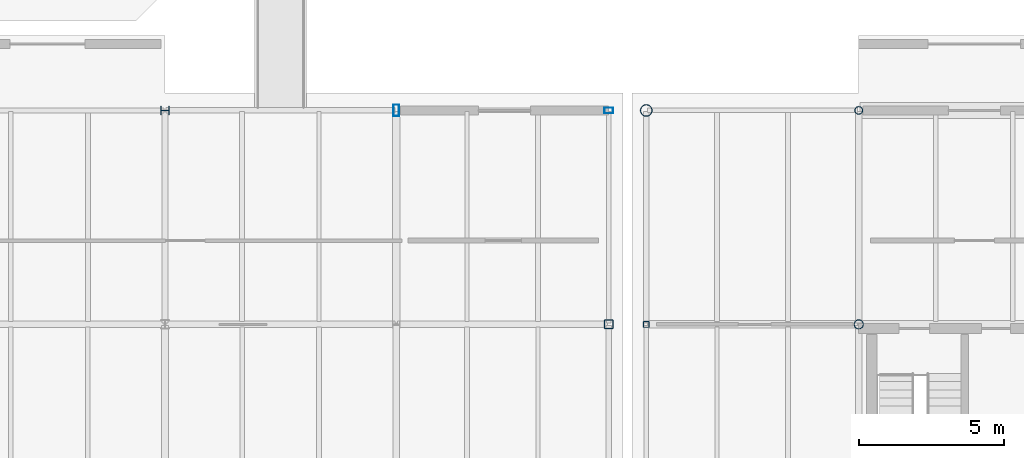
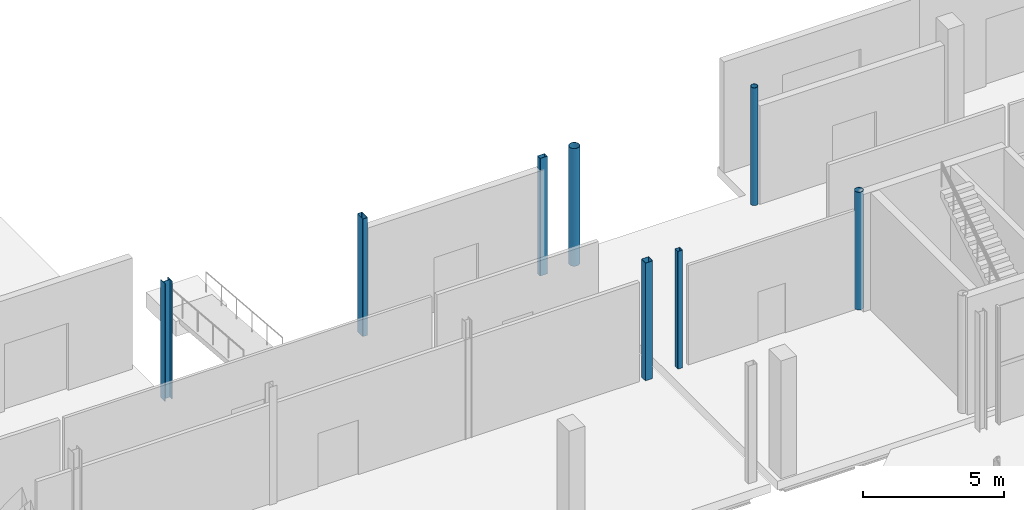
# One storey, part 21 of 87: 8 columns.
"""IFC4 building model written with IfcOpenShell, lengths in metres."""

import ifcopenshell
import ifcopenshell.guid

model = None  # the IFC model being written
_history = None  # IfcOwnerHistory: only IFC2X3 demands one
_inside = {}  # id of a spatial element -> (the spatial element, [elements in it])
_under = {}  # id of a project, library or spatial element -> (it, [spatial elements below it])
_declared = {}  # id of a project -> (the project, [libraries it declares])
_typed = {}  # id of a type object -> (the type object, [elements of that type])
_made_of = {}  # id of a material, layer set ... -> (it, [elements and type objects made of it])


def new_model(schema):
    """Start an empty IFC model of exactly this schema.

    Asked for "IFC4X3", IfcOpenShell would pick the latest addendum, in which some entities
    have other attributes; the version numbers below select the first issue.
    IFC2X3 requires an IfcOwnerHistory on every rooted entity: one is made here for all.
    """
    global model, _history
    if schema == "IFC4X3":
        model = ifcopenshell.file(schema_version=(4, 3, 0, 0))
    else:
        model = ifcopenshell.file(schema=schema)
    _inside.clear()
    _under.clear()
    _declared.clear()
    _typed.clear()
    _made_of.clear()
    _history = None
    if model.schema == "IFC2X3":
        org = make("IfcOrganization", Name="unknown")
        user = make(
            "IfcPersonAndOrganization",
            ThePerson=make("IfcPerson", FamilyName="unknown"),
            TheOrganization=org,
        )
        app = make(
            "IfcApplication",
            ApplicationDeveloper=org,
            Version="unknown",
            ApplicationFullName="unknown",
            ApplicationIdentifier="unknown",
        )
        _history = make(
            "IfcOwnerHistory",
            OwningUser=user,
            OwningApplication=app,
            ChangeAction="ADDED",
            CreationDate=0,
        )
    return model


def make(cls, **values):
    """One entity of the class cls with the attributes given. An attribute that is None is left unset."""
    return model.create_entity(
        cls, **{name: value for name, value in values.items() if value is not None}
    )


def rooted(cls, **values):
    """An entity with a GlobalId (a new one), such as an element, a storey or a relation."""
    return make(cls, GlobalId=ifcopenshell.guid.new(), OwnerHistory=_history, **values)


def si_unit(unit_type, name, prefix=None):
    """IfcSIUnit, for example si_unit("LENGTHUNIT", "METRE", prefix="MILLI")."""
    return make("IfcSIUnit", UnitType=unit_type, Prefix=prefix, Name=name)


def assignment(units):
    """IfcUnitAssignment: the units of a project."""
    return None if units is None else make("IfcUnitAssignment", Units=units)


def point(xyz):
    """IfcCartesianPoint."""
    return None if xyz is None else make("IfcCartesianPoint", Coordinates=xyz)


def direction(xyz):
    """IfcDirection."""
    return None if xyz is None else make("IfcDirection", DirectionRatios=xyz)


def frame(location, z_axis=None, x_axis=None):
    """IfcAxis2Placement3D, a coordinate frame: its origin and axes. An axis left out is left unset."""
    return make(
        "IfcAxis2Placement3D",
        Location=point(location),
        Axis=direction(z_axis),
        RefDirection=direction(x_axis),
    )


def frame_2d(location, x_axis=None):
    """IfcAxis2Placement2D, a coordinate frame in the plane: its origin and x axis."""
    return make(
        "IfcAxis2Placement2D", Location=point(location), RefDirection=direction(x_axis)
    )


def origin():
    """The frame at (0, 0, 0) with its axes left unset."""
    return frame((0.0, 0.0, 0.0))


def origin_2d():
    """The frame at (0, 0) in the plane with its x axis left unset."""
    return frame_2d((0.0, 0.0))


def place(relative_to, where):
    """IfcLocalPlacement: puts the frame where relative to a parent placement (None: the world)."""
    return make(
        "IfcLocalPlacement", PlacementRelTo=relative_to, RelativePlacement=where
    )


def context(
    kind, dimensions, precision=None, world=None, true_north=None, identifier=None
):
    """IfcGeometricRepresentationContext, for example the 3D "Model" context."""
    return make(
        "IfcGeometricRepresentationContext",
        ContextIdentifier=identifier,
        ContextType=kind,
        CoordinateSpaceDimension=dimensions,
        Precision=precision,
        WorldCoordinateSystem=world,
        TrueNorth=true_north,
    )


def subcontext(parent, identifier, kind, view, scale=None):
    """IfcGeometricRepresentationSubContext, for example "Body" below "Model"."""
    return make(
        "IfcGeometricRepresentationSubContext",
        ContextIdentifier=identifier,
        ContextType=kind,
        ParentContext=parent,
        TargetScale=scale,
        TargetView=view,
    )


def project(units=None, contexts=None):
    """IfcProject with its units and contexts."""
    return rooted(
        "IfcProject",
        Name="project",
        RepresentationContexts=contexts,
        UnitsInContext=assignment(units),
    )


def spatial(cls, under=None, at=None, **own):
    """A site, building, storey or space (cls), placed at a placement, below another one or the project."""
    s = rooted(cls, ObjectPlacement=at, **own)
    if under is not None:
        _under.setdefault(under.id(), (under, []))[1].append(s)
    return s


def profile(cls, at=None, kind="AREA", **sizes):
    """A parametric profile (cls). Its sizes go by their IFC names, for example OverallWidth=200.0."""
    return make(cls, ProfileType=kind, Position=at, **sizes)


def hollow_rectangle(**sizes):
    """IfcRectangleHollowProfileDef."""
    return profile("IfcRectangleHollowProfileDef", **sizes)


def hollow_circle(**sizes):
    """IfcCircleHollowProfileDef."""
    return profile("IfcCircleHollowProfileDef", **sizes)


def i_section(**sizes):
    """IfcIShapeProfileDef."""
    return profile("IfcIShapeProfileDef", **sizes)


def extrude(swept, where, along, depth):
    """IfcExtrudedAreaSolid: the profile swept, set in the frame where, extruded along a direction by depth."""
    return make(
        "IfcExtrudedAreaSolid",
        SweptArea=swept,
        Position=where,
        ExtrudedDirection=direction(along),
        Depth=depth,
    )


def shape(context_of_items, identifier, shape_type, items):
    """IfcShapeRepresentation: the items that make up one representation, for example the "Body"."""
    return make(
        "IfcShapeRepresentation",
        ContextOfItems=context_of_items,
        RepresentationIdentifier=identifier,
        RepresentationType=shape_type,
        Items=items,
    )


def material(Name=None, Category=None):
    """IfcMaterial."""
    return make("IfcMaterial", Name=Name, Category=Category)


def material_profile(
    of_material, cross_section, Name=None, Category=None, Priority=None
):
    """IfcMaterialProfile: a cross section and its material."""
    return make(
        "IfcMaterialProfile",
        Name=Name,
        Material=of_material,
        Profile=cross_section,
        Priority=Priority,
        Category=Category,
    )


def profile_set(profiles, Name=None, composite=None):
    """IfcMaterialProfileSet."""
    return make(
        "IfcMaterialProfileSet",
        Name=Name,
        MaterialProfiles=profiles,
        CompositeProfile=composite,
    )


def made_of(thing, what):
    """Note that an element or type object is made of a material, layer set ...; save() writes the relation."""
    if what is not None:
        _made_of.setdefault(what.id(), (what, []))[1].append(thing)
    return thing


def type_object(cls, material=None, **own):
    """A type object (cls), such as IfcWallType, which elements share."""
    return made_of(rooted(cls, **own), material)


def element(
    cls,
    number,
    at=None,
    inside=None,
    cuts=None,
    type_object=None,
    material=None,
    context=None,
    identifier="Body",
    shape_type=None,
    held_by="IfcProductDefinitionShape",
    body=None,
    shapes=None,
    **own,
):
    """One element of the class cls, such as IfcWall. Its Tag is "e" and its number.

    at: its placement. inside: the storey or other place that contains it. cuts: it is an
    opening in that element (IfcRelVoidsElement). A single representation is given by context,
    identifier, shape_type and body (its items); several are given by shapes. held_by: the class
    of the entity that holds the representations. save() writes the other relations.
    """
    e = rooted(cls, Tag="e%d" % number, ObjectPlacement=at, **own)
    if body is not None:
        shapes = [shape(context, identifier, shape_type, body)]
    if shapes is not None:
        e.Representation = make(held_by, Representations=shapes)
    if inside is not None:
        _inside.setdefault(inside.id(), (inside, []))[1].append(e)
    if cuts is not None:
        rooted(
            "IfcRelVoidsElement", RelatingBuildingElement=cuts, RelatedOpeningElement=e
        )
    if type_object is not None:
        _typed.setdefault(type_object.id(), (type_object, []))[1].append(e)
    return made_of(e, material)


def aggregate(whole, parts):
    """IfcRelAggregates: a whole, such as a stair, and the parts it consists of."""
    return rooted("IfcRelAggregates", RelatingObject=whole, RelatedObjects=parts)


def save(model, path):
    """Write the relations noted so far, then the file.

    IfcRelAggregates (storeys below a building ...), IfcRelContainedInSpatialStructure (elements
    in a storey), IfcRelDefinesByType, IfcRelAssociatesMaterial and IfcRelDeclares: one each for
    every whole, place, type object, material and project.
    """
    for whole, parts in _under.values():
        aggregate(whole, parts)
    for where, things in _inside.values():
        rooted(
            "IfcRelContainedInSpatialStructure",
            RelatedElements=things,
            RelatingStructure=where,
        )
    for kind, things in _typed.values():
        rooted("IfcRelDefinesByType", RelatedObjects=things, RelatingType=kind)
    for what, things in _made_of.values():
        rooted("IfcRelAssociatesMaterial", RelatedObjects=things, RelatingMaterial=what)
    for by, libraries in _declared.values():
        rooted("IfcRelDeclares", RelatingContext=by, RelatedDefinitions=libraries)
    model.write(path)


model = new_model("IFC4")

# Units and contexts
model_context = context("Model", 3, precision=1e-05, world=origin(), true_north=direction((0.0, 1.0)))
body_context = subcontext(model_context, "Body", "Model", "MODEL_VIEW")
ifc_project = project(units=[si_unit("LENGTHUNIT", "METRE"), si_unit("AREAUNIT", "SQUARE_METRE"), si_unit("VOLUMEUNIT", "CUBIC_METRE"), si_unit("PLANEANGLEUNIT", "RADIAN"), si_unit("MASSUNIT", "GRAM", prefix="KILO")], contexts=[model_context])

# Site, building, storey
site_placement = place(None, origin())
site = spatial("IfcSite", under=ifc_project, at=site_placement, CompositionType="ELEMENT")
building_placement = place(site_placement, origin())
building = spatial("IfcBuilding", under=site, at=building_placement, Name="Brisemont Oceanarium", CompositionType="ELEMENT")
storey_placement = place(building_placement, origin())
storey = spatial("IfcBuildingStorey", under=building, at=storey_placement, Name="L00", CompositionType="ELEMENT", Elevation=0.0)

# Columns
ifc_material_1 = material(Name="Structural Steel ASTM A500 Gr.C", Category="steel")
ifc_material_profile_1 = material_profile(ifc_material_1, hollow_circle(Radius=0.136474609375, WallThickness=0.01171875, at=origin_2d()), Name="HSS10.750X0.500")
ifc_profile_set_1 = profile_set([ifc_material_profile_1], Name="Structural Steel ASTM A500 Gr.C")
column_type_1 = type_object("IfcColumnType", Name="COL-CHS10", PredefinedType="COLUMN", material=ifc_profile_set_1)
column_1_placement = place(storey_placement, frame((64.0, 95.39990234375, 0.0), z_axis=(0.0, 0.0, 1.0), x_axis=(0.0, 1.0, 0.0)))
element("IfcColumn", 1, at=column_1_placement, inside=storey, type_object=column_type_1, Name="V7E L00 column (1,2)", PredefinedType="COLUMN", context=body_context, shape_type="SweptSolid", body=[
    extrude(hollow_circle(Radius=0.136474609375, WallThickness=0.01171875, at=origin_2d()), origin(), (0.0, 0.0, 1.0), 5.080078125),
])
ifc_material_2 = material(Name="Structural Steel ASTM A500 Gr.C", Category="steel")
ifc_material_profile_2 = material_profile(ifc_material_2, hollow_circle(Radius=0.162109375, WallThickness=0.01171875, at=origin_2d()), Name="HSS12.750X0.500")
ifc_profile_set_2 = profile_set([ifc_material_profile_2], Name="Structural Steel ASTM A500 Gr.C")
column_type_2 = type_object("IfcColumnType", Name="COL-CHS12", PredefinedType="COLUMN", material=ifc_profile_set_2)
column_2_placement = place(storey_placement, frame((64.0, 88.0, 0.0), z_axis=(0.0, 0.0, 1.0), x_axis=(1.0, 0.0, 0.0)))
element("IfcColumn", 2, at=column_2_placement, inside=storey, type_object=column_type_2, Name="V7E L00 column (1,1)", PredefinedType="COLUMN", context=body_context, shape_type="SweptSolid", body=[
    extrude(hollow_circle(Radius=0.162109375, WallThickness=0.01171875, at=origin_2d()), origin(), (0.0, 0.0, 1.0), 5.080078125),
])
ifc_material_3 = material(Name="Structural Steel ASTM A500 Gr.C", Category="steel")
ifc_material_profile_3 = material_profile(ifc_material_3, hollow_circle(Radius=0.202880859375, WallThickness=0.01171875, at=origin_2d()), Name="HSS16.000X0.500")
ifc_profile_set_3 = profile_set([ifc_material_profile_3], Name="Structural Steel ASTM A500 Gr.C")
column_type_3 = type_object("IfcColumnType", Name="COL-CHS16", PredefinedType="COLUMN", material=ifc_profile_set_3)
column_3_placement = place(storey_placement, frame((56.64990234375, 95.39990234375, 0.0), z_axis=(0.0, 0.0, 1.0), x_axis=(1.0, 0.0, 0.0)))
element("IfcColumn", 3, at=column_3_placement, inside=storey, type_object=column_type_3, Name="V7E L00 column (0,2)", PredefinedType="COLUMN", context=body_context, shape_type="SweptSolid", body=[
    extrude(hollow_circle(Radius=0.202880859375, WallThickness=0.01171875, at=origin_2d()), origin(), (0.0, 0.0, 1.0), 5.080078125),
])
ifc_material_4 = material(Name="Structural Steel ASTM A500 Gr.C", Category="steel")
ifc_material_profile_4 = material_profile(ifc_material_4, hollow_rectangle(XDim=0.304931640625, YDim=0.304931640625, WallThickness=0.01171875, InnerFilletRadius=0.01220703125, OuterFilletRadius=0.02392578125, at=origin_2d()), Name="HSS12X12X1/2")
ifc_profile_set_4 = profile_set([ifc_material_profile_4], Name="Structural Steel ASTM A500 Gr.C")
column_type_4 = type_object("IfcColumnType", Name="COL-HSS12X12", PredefinedType="COLUMN", material=ifc_profile_set_4)
column_4_placement = place(storey_placement, frame((55.35009765625, 88.0, 0.0), z_axis=(0.0, 0.0, 1.0), x_axis=(1.0, 0.0, 0.0)))
element("IfcColumn", 4, at=column_4_placement, inside=storey, type_object=column_type_4, Name="V7W L00 column (5,1)", PredefinedType="COLUMN", context=body_context, shape_type="SweptSolid", body=[
    extrude(hollow_rectangle(XDim=0.304931640625, YDim=0.304931640625, WallThickness=0.01171875, InnerFilletRadius=0.01220703125, OuterFilletRadius=0.02392578125, at=origin_2d()), origin(), (0.0, 0.0, 1.0), 5.080078125),
])
ifc_material_5 = material(Name="Structural Steel ASTM A500 Gr.C", Category="steel")
ifc_material_profile_5 = material_profile(ifc_material_5, hollow_rectangle(XDim=0.202880859375, YDim=0.304931640625, WallThickness=0.0087890625, InnerFilletRadius=0.009033203125, OuterFilletRadius=0.01806640625, at=origin_2d()), Name="HSS12X8X3/8")
ifc_profile_set_5 = profile_set([ifc_material_profile_5], Name="Structural Steel ASTM A500 Gr.C")
column_type_5 = type_object("IfcColumnType", Name="COL-HSS12X8", PredefinedType="COLUMN", material=ifc_profile_set_5)
column_5_placement = place(storey_placement, frame((55.35009765625, 95.39990234375, 0.0), z_axis=(0.0, 0.0, 1.0), x_axis=(0.0, 1.0, 0.0)))
element("IfcColumn", 5, at=column_5_placement, inside=storey, type_object=column_type_5, Name="V7W L00 column (5,2)", PredefinedType="COLUMN", context=body_context, shape_type="SweptSolid", body=[
    extrude(hollow_rectangle(XDim=0.202880859375, YDim=0.304931640625, WallThickness=0.0087890625, InnerFilletRadius=0.009033203125, OuterFilletRadius=0.01806640625, at=origin_2d()), origin(), (0.0, 0.0, 1.0), 5.080078125),
])
ifc_material_6 = material(Name="Structural Steel ASTM A500 Gr.C", Category="steel")
ifc_material_profile_6 = material_profile(ifc_material_6, hollow_rectangle(XDim=0.202880859375, YDim=0.406005859375, WallThickness=0.01171875, InnerFilletRadius=0.01220703125, OuterFilletRadius=0.02392578125, at=origin_2d()), Name="HSS16X8X1/2")
ifc_profile_set_6 = profile_set([ifc_material_profile_6], Name="Structural Steel ASTM A500 Gr.C")
column_type_6 = type_object("IfcColumnType", Name="COL-HSS16X8", PredefinedType="COLUMN", material=ifc_profile_set_6)
column_6_placement = place(storey_placement, frame((48.0, 95.39990234375, 0.0), z_axis=(0.0, 0.0, 1.0), x_axis=(1.0, 0.0, 0.0)))
element("IfcColumn", 6, at=column_6_placement, inside=storey, type_object=column_type_6, Name="V7W L00 column (4,2)", PredefinedType="COLUMN", context=body_context, shape_type="SweptSolid", body=[
    extrude(hollow_rectangle(XDim=0.202880859375, YDim=0.406005859375, WallThickness=0.01171875, InnerFilletRadius=0.01220703125, OuterFilletRadius=0.02392578125, at=origin_2d()), origin(), (0.0, 0.0, 1.0), 5.080078125),
])
ifc_material_7 = material(Name="Structural Steel ASTM A500 Gr.C", Category="steel")
ifc_material_profile_7 = material_profile(ifc_material_7, hollow_rectangle(XDim=0.202880859375, YDim=0.202880859375, WallThickness=0.0087890625, InnerFilletRadius=0.009033203125, OuterFilletRadius=0.01806640625, at=origin_2d()), Name="HSS8X8X3/8")
ifc_profile_set_7 = profile_set([ifc_material_profile_7], Name="Structural Steel ASTM A500 Gr.C")
column_type_7 = type_object("IfcColumnType", Name="COL-HSS8X8", PredefinedType="COLUMN", material=ifc_profile_set_7)
column_7_placement = place(storey_placement, frame((56.64990234375, 88.0, 0.0), z_axis=(0.0, 0.0, 1.0), x_axis=(0.0, 1.0, 0.0)))
element("IfcColumn", 7, at=column_7_placement, inside=storey, type_object=column_type_7, Name="V7E L00 column (0,1)", PredefinedType="COLUMN", context=body_context, shape_type="SweptSolid", body=[
    extrude(hollow_rectangle(XDim=0.202880859375, YDim=0.202880859375, WallThickness=0.0087890625, InnerFilletRadius=0.009033203125, OuterFilletRadius=0.01806640625, at=origin_2d()), origin(), (0.0, 0.0, 1.0), 5.080078125),
])
ifc_material_8 = material(Name="Structural Steel ASTM A992 Gr.50", Category="steel")
ifc_material_profile_8 = material_profile(ifc_material_8, i_section(OverallWidth=0.304931640625, OverallDepth=0.306884765625, WebThickness=0.010009765625, FlangeThickness=0.015380859375, FilletRadius=0.012939453125, at=origin_2d()), Name="W12X65")
ifc_profile_set_8 = profile_set([ifc_material_profile_8], Name="Structural Steel ASTM A992 Gr.50")
column_type_8 = type_object("IfcColumnType", Name="COL-W12X65", PredefinedType="COLUMN", material=ifc_profile_set_8)
column_8_placement = place(storey_placement, frame((40.0, 95.39990234375, 0.0), z_axis=(0.0, 0.0, 1.0), x_axis=(0.0, 1.0, 0.0)))
element("IfcColumn", 8, at=column_8_placement, inside=storey, type_object=column_type_8, Name="V7W L00 column (3,2)", PredefinedType="COLUMN", context=body_context, shape_type="SweptSolid", body=[
    extrude(i_section(OverallWidth=0.304931640625, OverallDepth=0.306884765625, WebThickness=0.010009765625, FlangeThickness=0.015380859375, FilletRadius=0.012939453125, at=origin_2d()), origin(), (0.0, 0.0, 1.0), 5.080078125),
])

save(model, "model.ifc")
